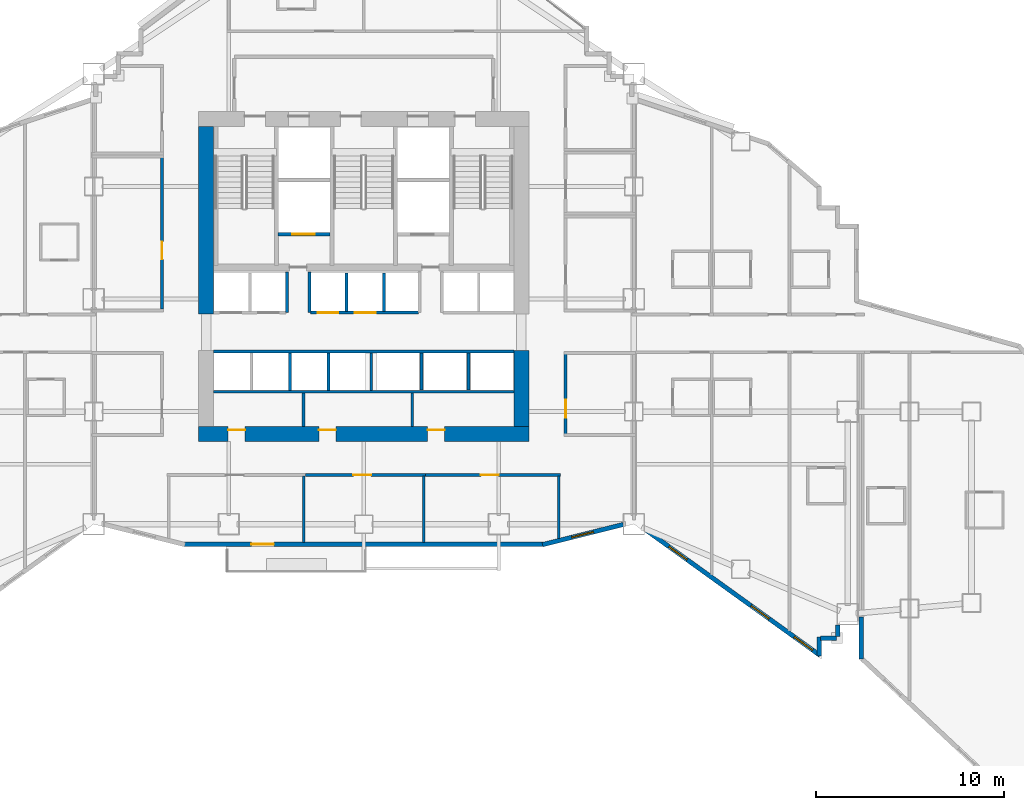
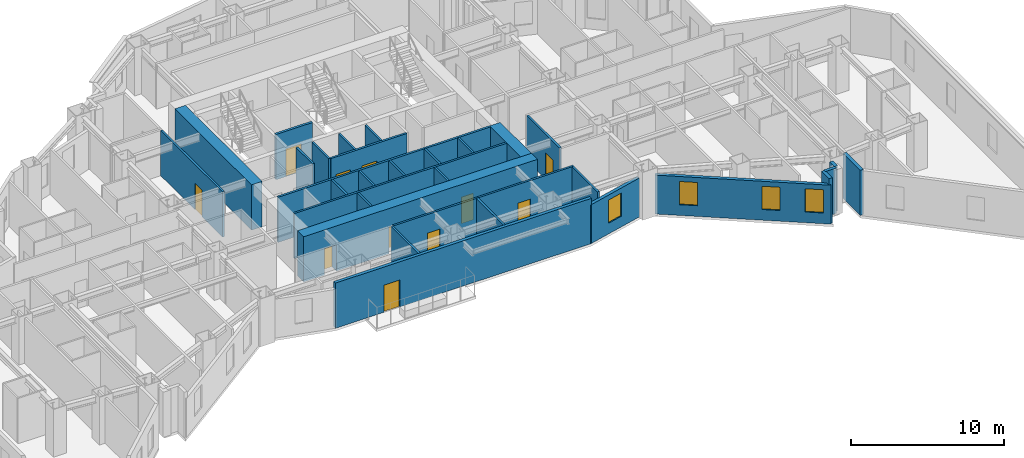
# One storey, part 9 of 16: 32 walls, 11 doors, 4 windows, 15 openings.
"""IFC4 building model written with IfcOpenShell, lengths in metres."""

from ifc_helpers import new_model, si_unit, direction, frame, frame_2d, origin, place, context, subcontext, project, spatial, rectangle, extrude, material, layer, layer_set, type_object, element, fill, save


model = new_model("IFC4")

# Units and contexts
model_context = context("Model", 3, precision=1e-05, world=origin(), true_north=direction((0.0, 1.0)))
body_context = subcontext(model_context, "Body", "Model", "MODEL_VIEW")
ifc_project = project(units=[si_unit("LENGTHUNIT", "METRE"), si_unit("AREAUNIT", "SQUARE_METRE"), si_unit("VOLUMEUNIT", "CUBIC_METRE"), si_unit("PLANEANGLEUNIT", "RADIAN"), si_unit("MASSUNIT", "GRAM", prefix="KILO")], contexts=[model_context])

# Site, building, storey
site_placement = place(None, origin())
site = spatial("IfcSite", under=ifc_project, at=site_placement, CompositionType="ELEMENT")
building_placement = place(site_placement, origin())
building = spatial("IfcBuilding", under=site, at=building_placement, Name="Haolan Belvedere Tower", CompositionType="ELEMENT")
storey_placement = place(building_placement, frame((0.0, 0.0, 78.0)))
storey = spatial("IfcBuildingStorey", under=building, at=storey_placement, Name="L19", CompositionType="ELEMENT", Elevation=78.0)

# Wall, openings, doors
ifc_material_1 = material(Name="Concrete C70/85", Category="concrete")
ifc_layer_1 = layer(ifc_material_1, 0.800048828125, Name="Concrete C70/85")
ifc_layer_set_1 = layer_set([ifc_layer_1], Name="Concrete C70/85")
wall_type_1 = type_object("IfcWallType", Name="WL-CORE-800", PredefinedType="SHEAR", material=ifc_layer_set_1)
wall_1_placement = place(storey_placement, frame((29.60009765625, 26.39990234375, 0.0), z_axis=(0.0, 0.0, 1.0), x_axis=(1.0, 0.0, 0.0)))
wall_1 = element("IfcWall", 1, at=wall_1_placement, inside=storey, type_object=wall_type_1, Name="L19 central core south shear wall", PredefinedType="SHEAR", context=body_context, shape_type="SweptSolid", body=[
    extrude(rectangle(XDim=17.599853515625, YDim=0.800048828125, at=frame_2d((8.7998046875, 0.0))), origin(), (0.0, 0.0, 1.0), 3.60009765625),
])
opening_1_placement = place(wall_1_placement, frame((2.469970703125, 0.0, 0.0), z_axis=(0.0, 0.0, 1.0), x_axis=(-1.0, 0.0, 0.0)))
opening_1 = element("IfcOpeningElement", 2, at=opening_1_placement, cuts=wall_1, Name="Opening FD-05", PredefinedType="OPENING", context=body_context, shape_type="SweptSolid", body=[
    extrude(rectangle(XDim=0.89990234375, YDim=2.10009765625, at=frame_2d((0.449951171875, 1.050048828125))), frame((0.0, 0.409912109375, 0.0), z_axis=(0.0, -1.0, 0.0), x_axis=(1.0, 0.0, 0.0)), (0.0, 0.0, 1.0), 0.820068359375),
])
opening_2_placement = place(wall_1_placement, frame((7.309814453125, 0.0, 0.0), z_axis=(0.0, 0.0, 1.0), x_axis=(-1.0, 0.0, 0.0)))
opening_2 = element("IfcOpeningElement", 3, at=opening_2_placement, cuts=wall_1, Name="Opening FD-05", PredefinedType="OPENING", context=body_context, shape_type="SweptSolid", body=[
    extrude(rectangle(XDim=0.89990234375, YDim=2.10009765625, at=frame_2d((0.449951171875, 1.050048828125))), frame((0.0, 0.409912109375, 0.0), z_axis=(0.0, -1.0, 0.0), x_axis=(1.0, 0.0, 0.0)), (0.0, 0.0, 1.0), 0.820068359375),
])
opening_3_placement = place(wall_1_placement, frame((13.10986328125, 0.0, 0.0), z_axis=(0.0, 0.0, 1.0), x_axis=(-1.0, 0.0, 0.0)))
opening_3 = element("IfcOpeningElement", 4, at=opening_3_placement, cuts=wall_1, Name="Opening FD-05", PredefinedType="OPENING", context=body_context, shape_type="SweptSolid", body=[
    extrude(rectangle(XDim=0.89990234375, YDim=2.10009765625, at=frame_2d((0.449951171875, 1.050048828125))), frame((0.0, 0.409912109375, 0.0), z_axis=(0.0, -1.0, 0.0), x_axis=(1.0, 0.0, 0.0)), (0.0, 0.0, 1.0), 0.820068359375),
])
ifc_material_2 = material(Name="Galvanised fire-rated steel", Category="steel")
door_type_1 = type_object("IfcDoorType", Name="DR-FD60-900", OperationType="NOTDEFINED", PredefinedType="DOOR", material=ifc_material_2)
door_1_placement = place(opening_1_placement, origin())
door_1 = element("IfcDoor", 5, at=door_1_placement, inside=storey, type_object=door_type_1, Name="L19 door CD-L19-SCV-1", OperationType="SINGLE_SWING_LEFT", OverallHeight=2.10009765625, OverallWidth=0.89990234375, PredefinedType="DOOR", context=body_context, shape_type="SweptSolid", body=[
    extrude(rectangle(XDim=0.89990234375, YDim=2.10009765625, at=frame_2d((0.449951171875, 1.050048828125))), frame((0.0, -0.19482421875, 0.0), z_axis=(0.0, -1.0, 0.0), x_axis=(1.0, 0.0, 0.0)), (0.0, 0.0, 1.0), 0.050048828125),
])
fill(opening_1, door_1)
door_2_placement = place(opening_2_placement, origin())
door_2 = element("IfcDoor", 6, at=door_2_placement, inside=storey, type_object=door_type_1, Name="L19 door CD-L19-SCV-2", OperationType="SINGLE_SWING_RIGHT", OverallHeight=2.10009765625, OverallWidth=0.89990234375, PredefinedType="DOOR", context=body_context, shape_type="SweptSolid", body=[
    extrude(rectangle(XDim=0.89990234375, YDim=2.10009765625, at=frame_2d((0.449951171875, 1.050048828125))), frame((0.0, -0.19482421875, 0.0), z_axis=(0.0, -1.0, 0.0), x_axis=(1.0, 0.0, 0.0)), (0.0, 0.0, 1.0), 0.050048828125),
])
fill(opening_2, door_2)
door_3_placement = place(opening_3_placement, origin())
door_3 = element("IfcDoor", 7, at=door_3_placement, inside=storey, type_object=door_type_1, Name="L19 door CD-L19-SCV-3", OperationType="SINGLE_SWING_LEFT", OverallHeight=2.10009765625, OverallWidth=0.89990234375, PredefinedType="DOOR", context=body_context, shape_type="SweptSolid", body=[
    extrude(rectangle(XDim=0.89990234375, YDim=2.10009765625, at=frame_2d((0.449951171875, 1.050048828125))), frame((0.0, -0.19482421875, 0.0), z_axis=(0.0, -1.0, 0.0), x_axis=(1.0, 0.0, 0.0)), (0.0, 0.0, 1.0), 0.050048828125),
])
fill(opening_3, door_3)

# Walls
wall_2_placement = place(storey_placement, frame((30.0, 32.800048828125, 0.0), z_axis=(0.0, 0.0, 1.0), x_axis=(0.0, 1.0, 0.0)))
element("IfcWall", 8, at=wall_2_placement, inside=storey, type_object=wall_type_1, Name="L19 central core shear wall WN", PredefinedType="SHEAR", context=body_context, shape_type="SweptSolid", body=[
    extrude(rectangle(XDim=10.0, YDim=0.800048828125, at=frame_2d((5.0, 0.0))), origin(), (0.0, 0.0, 1.0), 3.60009765625),
])
wall_3_placement = place(storey_placement, frame((46.800048828125, 26.800048828125, 0.0), z_axis=(0.0, 0.0, 1.0), x_axis=(0.0, 1.0, 0.0)))
element("IfcWall", 9, at=wall_3_placement, inside=storey, type_object=wall_type_1, Name="L19 central core shear wall ES", PredefinedType="SHEAR", context=body_context, shape_type="SweptSolid", body=[
    extrude(rectangle(XDim=4.050048828125, YDim=0.800048828125, at=frame_2d((2.02490234375, 0.0))), origin(), (0.0, 0.0, 1.0), 3.60009765625),
])

# Wall, opening, door
ifc_material_3 = material(Name="Precast concrete C40/50", Category="concrete")
ifc_layer_2 = layer(ifc_material_3, 0.239990234375, Name="Precast concrete C40/50")
ifc_layer_set_2 = layer_set([ifc_layer_2], Name="Precast concrete C40/50")
wall_type_2 = type_object("IfcWallType", Name="WL-EXT-240", PredefinedType="SOLIDWALL", material=ifc_layer_set_2)
wall_4_placement = place(storey_placement, frame((28.759765625, 20.52001953125, 0.0), z_axis=(0.0, 0.0, 1.0), x_axis=(1.0, 0.0, 0.0)))
wall_4 = element("IfcWall", 10, at=wall_4_placement, inside=storey, type_object=wall_type_2, Name="L19 pale-metal exterior spandrel wall 13.1", PredefinedType="SOLIDWALL", context=body_context, shape_type="SweptSolid", body=[
    extrude(rectangle(XDim=19.280517578125, YDim=0.239990234375, at=frame_2d((9.64013671875, 0.0))), origin(), (0.0, 0.0, 1.0), 3.60009765625),
])
opening_4_placement = place(wall_4_placement, frame((4.840087890625, 0.0, 0.0), z_axis=(0.0, 0.0, 1.0), x_axis=(-1.0, 0.0, 0.0)))
opening_4 = element("IfcOpeningElement", 11, at=opening_4_placement, cuts=wall_4, Name="Opening BD-01", PredefinedType="OPENING", context=body_context, shape_type="SweptSolid", body=[
    extrude(rectangle(XDim=1.199951171875, YDim=2.14990234375, at=frame_2d((0.60009765625, 1.074951171875))), frame((0.0, 0.1298828125, 0.0), z_axis=(0.0, -1.0, 0.0), x_axis=(1.0, 0.0, 0.0)), (0.0, 0.0, 1.0), 0.260009765625),
])
ifc_material_4 = material(Name="Thermally broken pale-metal aluminium and Low-E glass", Category="aluminium")
door_type_2 = type_object("IfcDoorType", Name="DR-BAL-1200", OperationType="NOTDEFINED", PredefinedType="DOOR", material=ifc_material_4)
door_4_placement = place(opening_4_placement, origin())
door_4 = element("IfcDoor", 12, at=door_4_placement, inside=storey, type_object=door_type_2, Name="L19 tree-balcony access door 1", OperationType="SINGLE_SWING_LEFT", OverallHeight=2.14990234375, OverallWidth=1.199951171875, PredefinedType="DOOR", context=body_context, shape_type="SweptSolid", body=[
    extrude(rectangle(XDim=1.199951171875, YDim=2.14990234375, at=frame_2d((0.60009765625, 1.074951171875))), frame((0.0, 0.02490234375, 0.0), z_axis=(0.0, -1.0, 0.0), x_axis=(1.0, 0.0, 0.0)), (0.0, 0.0, 1.0), 0.050048828125),
])
fill(opening_4, door_4)

# Wall, opening, window
wall_5_placement = place(storey_placement, frame((47.931884765625, 20.506591796875, 0.0), z_axis=(0.0, 0.0, 1.0), x_axis=(0.970145739396, 0.242522667667, 0.0)))
wall_5 = element("IfcWall", 13, at=wall_5_placement, inside=storey, type_object=wall_type_2, Name="L19 pale-metal exterior spandrel wall 14.1", PredefinedType="SOLIDWALL", context=body_context, shape_type="SweptSolid", body=[
    extrude(rectangle(XDim=4.433349609375, YDim=0.239990234375, at=frame_2d((2.216796875, 0.0))), origin(), (0.0, 0.0, 1.0), 3.096923828125),
])
opening_5_placement = place(wall_5_placement, frame((1.60009765625, 0.0, 0.85009765625)))
opening_5 = element("IfcOpeningElement", 14, at=opening_5_placement, cuts=wall_5, Name="Opening W-01", PredefinedType="OPENING", context=body_context, shape_type="SweptSolid", body=[
    extrude(rectangle(XDim=1.199951171875, YDim=1.85009765625, at=frame_2d((0.60009765625, 0.925048828125))), frame((0.0, 0.1298828125, 0.0), z_axis=(0.0, -1.0, 0.0), x_axis=(1.0, 0.0, 0.0)), (0.0, 0.0, 1.0), 0.260009765625),
])
ifc_material_5 = material(Name="Anodised aluminium 6063-T6 and Low-E glass", Category="aluminium")
window_type = type_object("IfcWindowType", Name="WN-DECO-Z1", PartitioningType="SINGLE_PANEL", PredefinedType="WINDOW", material=ifc_material_5)
window_1_placement = place(opening_5_placement, origin())
window_1 = element("IfcWindow", 15, at=window_1_placement, inside=storey, type_object=window_type, Name="L19 Art Deco chevron window 1", OverallHeight=1.85009765625, OverallWidth=1.199951171875, PartitioningType="SINGLE_PANEL", PredefinedType="WINDOW", context=body_context, shape_type="SweptSolid", body=[
    extrude(rectangle(XDim=1.199951171875, YDim=1.85009765625, at=frame_2d((0.60009765625, 0.925048828125))), frame((0.0, 0.030029296875, 0.0), z_axis=(0.0, -1.0, 0.0), x_axis=(1.0, 0.0, 0.0)), (0.0, 0.0, 1.0), 0.06005859375),
])
fill(opening_5, window_1)

# Wall, openings, windows
wall_6_placement = place(storey_placement, frame((53.366943359375, 21.339599609375, 0.0), z_axis=(0.0, 0.0, 1.0), x_axis=(0.811543176492, -0.58429245476, 0.0)))
wall_6 = element("IfcWall", 16, at=wall_6_placement, inside=storey, type_object=wall_type_2, Name="L19 pale-metal exterior spandrel wall 15.1", PredefinedType="SOLIDWALL", context=body_context, shape_type="SweptSolid", body=[
    extrude(rectangle(XDim=11.53076171875, YDim=0.239990234375, at=frame_2d((5.765380859375, 0.0))), origin(), (0.0, 0.0, 1.0), 3.096923828125),
])
opening_6_placement = place(wall_6_placement, frame((1.60009765625, 0.0, 0.85009765625)))
opening_6 = element("IfcOpeningElement", 17, at=opening_6_placement, cuts=wall_6, Name="Opening W-01", PredefinedType="OPENING", context=body_context, shape_type="SweptSolid", body=[
    extrude(rectangle(XDim=1.199951171875, YDim=1.85009765625, at=frame_2d((0.60009765625, 0.925048828125))), frame((0.0, 0.1298828125, 0.0), z_axis=(0.0, -1.0, 0.0), x_axis=(1.0, 0.0, 0.0)), (0.0, 0.0, 1.0), 0.260009765625),
])
opening_7_placement = place(wall_6_placement, frame((7.0, 0.0, 0.85009765625)))
opening_7 = element("IfcOpeningElement", 18, at=opening_7_placement, cuts=wall_6, Name="Opening W-01", PredefinedType="OPENING", context=body_context, shape_type="SweptSolid", body=[
    extrude(rectangle(XDim=1.199951171875, YDim=1.85009765625, at=frame_2d((0.60009765625, 0.925048828125))), frame((0.0, 0.1298828125, 0.0), z_axis=(0.0, -1.0, 0.0), x_axis=(1.0, 0.0, 0.0)), (0.0, 0.0, 1.0), 0.260009765625),
])
opening_8_placement = place(wall_6_placement, frame((9.842041015625, 0.0, 0.85009765625)))
opening_8 = element("IfcOpeningElement", 19, at=opening_8_placement, cuts=wall_6, Name="Opening W-01", PredefinedType="OPENING", context=body_context, shape_type="SweptSolid", body=[
    extrude(rectangle(XDim=1.199951171875, YDim=1.85009765625, at=frame_2d((0.60009765625, 0.925048828125))), frame((0.0, 0.1298828125, 0.0), z_axis=(0.0, -1.0, 0.0), x_axis=(1.0, 0.0, 0.0)), (0.0, 0.0, 1.0), 0.260009765625),
])
window_2_placement = place(opening_6_placement, origin())
window_2 = element("IfcWindow", 20, at=window_2_placement, inside=storey, type_object=window_type, Name="L19 Art Deco chevron window 1", OverallHeight=1.85009765625, OverallWidth=1.199951171875, PartitioningType="SINGLE_PANEL", PredefinedType="WINDOW", context=body_context, shape_type="SweptSolid", body=[
    extrude(rectangle(XDim=1.199951171875, YDim=1.85009765625, at=frame_2d((0.60009765625, 0.925048828125))), frame((0.0, 0.030029296875, 0.0), z_axis=(0.0, -1.0, 0.0), x_axis=(1.0, 0.0, 0.0)), (0.0, 0.0, 1.0), 0.06005859375),
])
fill(opening_6, window_2)
window_3_placement = place(opening_7_placement, origin())
window_3 = element("IfcWindow", 21, at=window_3_placement, inside=storey, type_object=window_type, Name="L19 Art Deco chevron window 2", OverallHeight=1.85009765625, OverallWidth=1.199951171875, PartitioningType="SINGLE_PANEL", PredefinedType="WINDOW", context=body_context, shape_type="SweptSolid", body=[
    extrude(rectangle(XDim=1.199951171875, YDim=1.85009765625, at=frame_2d((0.60009765625, 0.925048828125))), frame((0.0, 0.030029296875, 0.0), z_axis=(0.0, -1.0, 0.0), x_axis=(1.0, 0.0, 0.0)), (0.0, 0.0, 1.0), 0.06005859375),
])
fill(opening_7, window_3)
window_4_placement = place(opening_8_placement, origin())
window_4 = element("IfcWindow", 22, at=window_4_placement, inside=storey, type_object=window_type, Name="L19 Art Deco guestroom window 3", OverallHeight=1.85009765625, OverallWidth=1.199951171875, PartitioningType="SINGLE_PANEL", PredefinedType="WINDOW", context=body_context, shape_type="SweptSolid", body=[
    extrude(rectangle(XDim=1.199951171875, YDim=1.85009765625, at=frame_2d((0.60009765625, 0.925048828125))), frame((0.0, 0.030029296875, 0.0), z_axis=(0.0, -1.0, 0.0), x_axis=(1.0, 0.0, 0.0)), (0.0, 0.0, 1.0), 0.06005859375),
])
fill(opening_8, window_4)

# Walls
wall_7_placement = place(storey_placement, frame((62.679931640625, 14.579345703125, 0.0), z_axis=(0.0, 0.0, 1.0), x_axis=(0.0, 1.0, 0.0)))
element("IfcWall", 23, at=wall_7_placement, inside=storey, type_object=wall_type_2, Name="L19 pale-metal exterior spandrel wall 16.1", PredefinedType="SOLIDWALL", context=body_context, shape_type="SweptSolid", body=[
    extrude(rectangle(XDim=0.99560546875, YDim=0.239990234375, at=frame_2d((0.497802734375, 0.0))), origin(), (0.0, 0.0, 1.0), 3.60009765625),
])
wall_8_placement = place(storey_placement, frame((62.7451171875, 15.52001953125, 0.0), z_axis=(0.0, 0.0, 1.0), x_axis=(1.0, 0.0, 0.0)))
element("IfcWall", 24, at=wall_8_placement, inside=storey, type_object=wall_type_2, Name="L19 pale-metal exterior spandrel wall 17.1", PredefinedType="SOLIDWALL", context=body_context, shape_type="SweptSolid", body=[
    extrude(rectangle(XDim=0.849853515625, YDim=0.239990234375, at=frame_2d((0.4248046875, 0.0))), origin(), (0.0, 0.0, 1.0), 3.60009765625),
])
wall_9_placement = place(storey_placement, frame((63.679931640625, 15.60498046875, 0.0), z_axis=(0.0, 0.0, 1.0), x_axis=(0.0, 1.0, 0.0)))
element("IfcWall", 25, at=wall_9_placement, inside=storey, type_object=wall_type_2, Name="L19 pale-metal exterior spandrel wall 18.1", PredefinedType="SOLIDWALL", context=body_context, shape_type="SweptSolid", body=[
    extrude(rectangle(XDim=0.6279296875, YDim=0.239990234375, at=frame_2d((0.31396484375, 0.0))), origin(), (0.0, 0.0, 1.0), 3.60009765625),
])
wall_10_placement = place(storey_placement, frame((64.919921875, 16.639892578125, 0.0), z_axis=(0.0, 0.0, 1.0), x_axis=(0.0, -1.0, 0.0)))
element("IfcWall", 26, at=wall_10_placement, inside=storey, type_object=wall_type_2, Name="L19 pale-metal exterior spandrel wall 20.1", PredefinedType="SOLIDWALL", context=body_context, shape_type="SweptSolid", body=[
    extrude(rectangle(XDim=2.24267578125, YDim=0.239990234375, at=frame_2d((1.121337890625, 0.0))), origin(), (0.0, 0.0, 1.0), 3.60009765625),
])
ifc_material_6 = material(Name="Double gypsum acoustic stud partition", Category="masonry")
ifc_layer_3 = layer(ifc_material_6, 0.14990234375, Name="Double gypsum acoustic stud partition")
ifc_layer_set_3 = layer_set([ifc_layer_3], Name="Double gypsum acoustic stud partition")
wall_type_3 = type_object("IfcWallType", Name="WL-PART-150", PredefinedType="PARTITIONING", material=ifc_layer_set_3)
wall_11_placement = place(storey_placement, frame((30.39990234375, 28.659912109375, 0.0), z_axis=(0.0, 0.0, 1.0), x_axis=(1.0, 0.0, 0.0)))
element("IfcWall", 27, at=wall_11_placement, inside=storey, type_object=wall_type_3, Name="L19 interior partition IW-L19-SSTRIP-N", PredefinedType="PARTITIONING", context=body_context, shape_type="SweptSolid", body=[
    extrude(rectangle(XDim=16.0, YDim=0.14990234375, at=frame_2d((8.0, 0.0))), origin(), (0.0, 0.0, 1.0), 3.60009765625),
])
for number, where, z_axis, x_axis, name in (
    (28, (35.179931640625, 26.81005859375, 0.0), (0.0, 0.0, 1.0), (0.0, 1.0, 0.0), "L19 interior partition IW-L19-SCV-DIV-1"),
    (29, (40.97998046875, 26.81005859375, 0.0), (0.0, 0.0, 1.0), (0.0, 1.0, 0.0), "L19 interior partition IW-L19-SCV-DIV-2"),
):
    element("IfcWall", number, at=place(storey_placement, frame(where, z_axis=z_axis, x_axis=x_axis)), inside=storey, type_object=wall_type_3, Name=name, PredefinedType="PARTITIONING", context=body_context, shape_type="SweptSolid", body=[
        extrude(rectangle(XDim=1.77001953125, YDim=0.14990234375, at=frame_2d((0.885009765625, 0.0))), origin(), (0.0, 0.0, 1.0), 3.60009765625),
    ])

# Wall, opening, door
wall_12_placement = place(storey_placement, frame((27.639892578125, 33.06005859375, 0.0), z_axis=(0.0, 0.0, 1.0), x_axis=(0.0, 1.0, 0.0)))
wall_12 = element("IfcWall", 30, at=wall_12_placement, inside=storey, type_object=wall_type_3, Name="L19 interior partition IW-L19-SAL-E", PredefinedType="PARTITIONING", context=body_context, shape_type="SweptSolid", body=[
    extrude(rectangle(XDim=8.079833984375, YDim=0.14990234375, at=frame_2d((4.0400390625, 0.0))), origin(), (0.0, 0.0, 1.0), 3.60009765625),
])
opening_9_placement = place(wall_12_placement, frame((3.60986328125, 0.0, 0.0), z_axis=(0.0, 0.0, 1.0), x_axis=(-1.0, 0.0, 0.0)))
opening_9 = element("IfcOpeningElement", 31, at=opening_9_placement, cuts=wall_12, Name="Opening ID-03", PredefinedType="OPENING", context=body_context, shape_type="SweptSolid", body=[
    extrude(rectangle(XDim=0.949951171875, YDim=2.1201171875, at=frame_2d((0.47509765625, 1.06005859375))), frame((0.0, 0.0849609375, 0.0), z_axis=(0.0, -1.0, 0.0), x_axis=(1.0, 0.0, 0.0)), (0.0, 0.0, 1.0), 0.169921875),
])
ifc_material_7 = material(Name="Painted solid-core timber", Category="wood")
door_type_3 = type_object("IfcDoorType", Name="DR-INT-950", OperationType="NOTDEFINED", PredefinedType="DOOR", material=ifc_material_7)
door_5_placement = place(opening_9_placement, origin())
door_5 = element("IfcDoor", 32, at=door_5_placement, inside=storey, type_object=door_type_3, Name="L19 door ID-L19-SAL", OperationType="SINGLE_SWING_LEFT", OverallHeight=2.1201171875, OverallWidth=0.949951171875, PredefinedType="DOOR", context=body_context, shape_type="SweptSolid", body=[
    extrude(rectangle(XDim=0.949951171875, YDim=2.1201171875, at=frame_2d((0.47509765625, 1.06005859375))), frame((0.0, 0.02490234375, 0.0), z_axis=(0.0, -1.0, 0.0), x_axis=(1.0, 0.0, 0.0)), (0.0, 0.0, 1.0), 0.050048828125),
])
fill(opening_9, door_5)

wall_13_placement = place(storey_placement, frame((49.159912109375, 26.409912109375, 0.0), z_axis=(0.0, 0.0, 1.0), x_axis=(0.0, 1.0, 0.0)))
wall_13 = element("IfcWall", 33, at=wall_13_placement, inside=storey, type_object=wall_type_3, Name="L19 interior partition IW-L19-PKTE-W", PredefinedType="PARTITIONING", context=body_context, shape_type="SweptSolid", body=[
    extrude(rectangle(XDim=4.260009765625, YDim=0.14990234375, at=frame_2d((2.1298828125, 0.0))), origin(), (0.0, 0.0, 1.0), 3.60009765625),
])
opening_10_placement = place(wall_13_placement, frame((0.860107421875, 0.0, 0.0)))
opening_10 = element("IfcOpeningElement", 34, at=opening_10_placement, cuts=wall_13, Name="Opening ID-03", PredefinedType="OPENING", context=body_context, shape_type="SweptSolid", body=[
    extrude(rectangle(XDim=0.949951171875, YDim=2.1201171875, at=frame_2d((0.47509765625, 1.06005859375))), frame((0.0, 0.0849609375, 0.0), z_axis=(0.0, -1.0, 0.0), x_axis=(1.0, 0.0, 0.0)), (0.0, 0.0, 1.0), 0.169921875),
])
door_6_placement = place(opening_10_placement, origin())
door_6 = element("IfcDoor", 35, at=door_6_placement, inside=storey, type_object=door_type_3, Name="L19 door ID-L19-PKTE", OperationType="SINGLE_SWING_RIGHT", OverallHeight=2.1201171875, OverallWidth=0.949951171875, PredefinedType="DOOR", context=body_context, shape_type="SweptSolid", body=[
    extrude(rectangle(XDim=0.949951171875, YDim=2.1201171875, at=frame_2d((0.47509765625, 1.06005859375))), frame((0.0, 0.02490234375, 0.0), z_axis=(0.0, -1.0, 0.0), x_axis=(1.0, 0.0, 0.0)), (0.0, 0.0, 1.0), 0.050048828125),
])
fill(opening_10, door_6)

# Wall
wall_14_placement = place(storey_placement, frame((35.199951171875, 20.625, 0.0), z_axis=(0.0, 0.0, 1.0), x_axis=(0.0, 1.0, 0.0)))
element("IfcWall", 36, at=wall_14_placement, inside=storey, type_object=wall_type_3, Name="L19 interior partition IW-L19-KS2-E", PredefinedType="PARTITIONING", context=body_context, shape_type="SweptSolid", body=[
    extrude(rectangle(XDim=3.534912109375, YDim=0.14990234375, at=frame_2d((1.767578125, 0.0))), origin(), (0.0, 0.0, 1.0), 3.60009765625),
])

# Wall, opening, door
wall_15_placement = place(storey_placement, frame((35.281982421875, 24.219970703125, 0.0), z_axis=(0.0, 0.0, 1.0), x_axis=(1.0, 0.0, 0.0)))
wall_15 = element("IfcWall", 37, at=wall_15_placement, inside=storey, type_object=wall_type_3, Name="L19 interior partition IW-L19-KS3-N", PredefinedType="PARTITIONING", context=body_context, shape_type="SweptSolid", body=[
    extrude(rectangle(XDim=6.39794921875, YDim=0.14990234375, at=frame_2d((3.198974609375, 0.0))), origin(), (0.0, 0.0, 1.0), 3.60009765625),
])
opening_11_placement = place(wall_15_placement, frame((3.512939453125, 0.0, 0.0), z_axis=(0.0, 0.0, 1.0), x_axis=(-1.0, 0.0, 0.0)))
opening_11 = element("IfcOpeningElement", 38, at=opening_11_placement, cuts=wall_15, Name="Opening ID-03", PredefinedType="OPENING", context=body_context, shape_type="SweptSolid", body=[
    extrude(rectangle(XDim=0.949951171875, YDim=2.1201171875, at=frame_2d((0.47509765625, 1.06005859375))), frame((0.0, 0.0849609375, 0.0), z_axis=(0.0, -1.0, 0.0), x_axis=(1.0, 0.0, 0.0)), (0.0, 0.0, 1.0), 0.169921875),
])
door_7_placement = place(opening_11_placement, origin())
door_7 = element("IfcDoor", 39, at=door_7_placement, inside=storey, type_object=door_type_3, Name="L19 door ID-L19-KS3", OperationType="SINGLE_SWING_LEFT", OverallHeight=2.1201171875, OverallWidth=0.949951171875, PredefinedType="DOOR", context=body_context, shape_type="SweptSolid", body=[
    extrude(rectangle(XDim=0.949951171875, YDim=2.1201171875, at=frame_2d((0.47509765625, 1.06005859375))), frame((0.0, 0.02490234375, 0.0), z_axis=(0.0, -1.0, 0.0), x_axis=(1.0, 0.0, 0.0)), (0.0, 0.0, 1.0), 0.050048828125),
])
fill(opening_11, door_7)

# Wall
wall_16_placement = place(storey_placement, frame((41.60009765625, 20.625, 0.0), z_axis=(0.0, 0.0, 1.0), x_axis=(0.0, 1.0, 0.0)))
element("IfcWall", 40, at=wall_16_placement, inside=storey, type_object=wall_type_3, Name="L19 interior partition IW-L19-KS3-E", PredefinedType="PARTITIONING", context=body_context, shape_type="SweptSolid", body=[
    extrude(rectangle(XDim=3.534912109375, YDim=0.14990234375, at=frame_2d((1.767578125, 0.0))), origin(), (0.0, 0.0, 1.0), 3.60009765625),
])

# Wall, opening, door
wall_17_placement = place(storey_placement, frame((41.681884765625, 24.219970703125, 0.0), z_axis=(0.0, 0.0, 1.0), x_axis=(1.0, 0.0, 0.0)))
wall_17 = element("IfcWall", 41, at=wall_17_placement, inside=storey, type_object=wall_type_3, Name="L19 interior partition IW-L19-KS4-N", PredefinedType="PARTITIONING", context=body_context, shape_type="SweptSolid", body=[
    extrude(rectangle(XDim=7.197998046875, YDim=0.14990234375, at=frame_2d((3.59912109375, 0.0))), origin(), (0.0, 0.0, 1.0), 3.60009765625),
])
opening_12_placement = place(wall_17_placement, frame((3.912841796875, 0.0, 0.0), z_axis=(0.0, 0.0, 1.0), x_axis=(-1.0, 0.0, 0.0)))
opening_12 = element("IfcOpeningElement", 42, at=opening_12_placement, cuts=wall_17, Name="Opening ID-03", PredefinedType="OPENING", context=body_context, shape_type="SweptSolid", body=[
    extrude(rectangle(XDim=0.949951171875, YDim=2.1201171875, at=frame_2d((0.47509765625, 1.06005859375))), frame((0.0, 0.0849609375, 0.0), z_axis=(0.0, -1.0, 0.0), x_axis=(1.0, 0.0, 0.0)), (0.0, 0.0, 1.0), 0.169921875),
])
door_8_placement = place(opening_12_placement, origin())
door_8 = element("IfcDoor", 43, at=door_8_placement, inside=storey, type_object=door_type_3, Name="L19 door ID-L19-KS4", OperationType="SINGLE_SWING_RIGHT", OverallHeight=2.1201171875, OverallWidth=0.949951171875, PredefinedType="DOOR", context=body_context, shape_type="SweptSolid", body=[
    extrude(rectangle(XDim=0.949951171875, YDim=2.1201171875, at=frame_2d((0.47509765625, 1.06005859375))), frame((0.0, 0.02490234375, 0.0), z_axis=(0.0, -1.0, 0.0), x_axis=(1.0, 0.0, 0.0)), (0.0, 0.0, 1.0), 0.050048828125),
])
fill(opening_12, door_8)

# Walls
wall_18_placement = place(storey_placement, frame((48.800048828125, 20.83203125, 0.0), z_axis=(0.0, 0.0, 1.0), x_axis=(0.0, 1.0, 0.0)))
element("IfcWall", 44, at=wall_18_placement, inside=storey, type_object=wall_type_3, Name="L19 interior partition IW-L19-KS4-E", PredefinedType="PARTITIONING", context=body_context, shape_type="SweptSolid", body=[
    extrude(rectangle(XDim=3.327880859375, YDim=0.14990234375, at=frame_2d((1.6640625, 0.0))), origin(), (0.0, 0.0, 1.0), 3.60009765625),
])
ifc_material_8 = material(Name="Gypsum fire shaftwall assembly", Category="masonry")
ifc_layer_4 = layer(ifc_material_8, 0.1650390625, Name="Gypsum fire shaftwall assembly")
ifc_layer_set_4 = layer_set([ifc_layer_4], Name="Gypsum fire shaftwall assembly")
wall_type_4 = type_object("IfcWallType", Name="WL-SHAFT-160", PredefinedType="SOLIDWALL", material=ifc_layer_set_4)
for number, where, z_axis, x_axis, name in (
    (45, (34.31005859375, 32.8798828125, 0.0), (0.0, 0.0, 1.0), (0.0, 1.0, 0.0), "L19 interior partition IW-L19-SVP-W-SV1"),
    (46, (35.510009765625, 32.8798828125, 0.0), (0.0, 0.0, 1.0), (0.0, 1.0, 0.0), "L19 interior partition IW-L19-SVP-E-SV1"),
):
    element("IfcWall", number, at=place(storey_placement, frame(where, z_axis=z_axis, x_axis=x_axis)), inside=storey, type_object=wall_type_4, Name=name, PredefinedType="SOLIDWALL", context=body_context, shape_type="SweptSolid", body=[
        extrude(rectangle(XDim=2.170166015625, YDim=0.14990234375, at=frame_2d((1.0849609375, 0.0))), origin(), (0.0, 0.0, 1.0), 3.60009765625),
    ])

# Wall, openings, doors
wall_19_placement = place(storey_placement, frame((35.570068359375, 32.8798828125, 0.0), z_axis=(0.0, 0.0, 1.0), x_axis=(1.0, 0.0, 0.0)))
wall_19 = element("IfcWall", 47, at=wall_19_placement, inside=storey, type_object=wall_type_4, Name="L19 interior partition IW-L19-ROW-PN2", PredefinedType="SOLIDWALL", context=body_context, shape_type="SweptSolid", body=[
    extrude(rectangle(XDim=5.739990234375, YDim=0.159912109375, at=frame_2d((2.8701171875, 0.0))), origin(), (0.0, 0.0, 1.0), 3.60009765625),
])
opening_13_placement = place(wall_19_placement, frame((1.47021484375, 0.0, 0.0), z_axis=(0.0, 0.0, 1.0), x_axis=(-1.0, 0.0, 0.0)))
opening_13 = element("IfcOpeningElement", 48, at=opening_13_placement, cuts=wall_19, Name="Opening LD-01", PredefinedType="OPENING", context=body_context, shape_type="SweptSolid", body=[
    extrude(rectangle(XDim=1.10009765625, YDim=2.199951171875, at=frame_2d((0.550048828125, 1.10009765625))), frame((0.0, 0.08984375, 0.0), z_axis=(0.0, -1.0, 0.0), x_axis=(1.0, 0.0, 0.0)), (0.0, 0.0, 1.0), 0.179931640625),
])
opening_14_placement = place(wall_19_placement, frame((3.460205078125, 0.0, 0.0), z_axis=(0.0, 0.0, 1.0), x_axis=(-1.0, 0.0, 0.0)))
opening_14 = element("IfcOpeningElement", 49, at=opening_14_placement, cuts=wall_19, Name="Opening LD-01", PredefinedType="OPENING", context=body_context, shape_type="SweptSolid", body=[
    extrude(rectangle(XDim=1.10009765625, YDim=2.199951171875, at=frame_2d((0.550048828125, 1.10009765625))), frame((0.0, 0.08984375, 0.0), z_axis=(0.0, -1.0, 0.0), x_axis=(1.0, 0.0, 0.0)), (0.0, 0.0, 1.0), 0.179931640625),
])
ifc_material_9 = material(Name="Brushed champagne stainless steel 316L", Category="steel")
door_type_4 = type_object("IfcDoorType", Name="DR-LIFT-1100", OperationType="SLIDING_TO_LEFT", PredefinedType="DOOR", material=ifc_material_9)
door_9_placement = place(opening_13_placement, origin())
door_9 = element("IfcDoor", 50, at=door_9_placement, inside=storey, type_object=door_type_4, Name="L19 door ID-L19-LD-PL3", OperationType="SLIDING_TO_LEFT", OverallHeight=2.199951171875, OverallWidth=1.10009765625, PredefinedType="DOOR", context=body_context, shape_type="SweptSolid", body=[
    extrude(rectangle(XDim=1.10009765625, YDim=2.199951171875, at=frame_2d((0.550048828125, 1.10009765625))), frame((0.0, 0.02490234375, 0.0), z_axis=(0.0, -1.0, 0.0), x_axis=(1.0, 0.0, 0.0)), (0.0, 0.0, 1.0), 0.050048828125),
])
fill(opening_13, door_9)
door_10_placement = place(opening_14_placement, origin())
door_10 = element("IfcDoor", 51, at=door_10_placement, inside=storey, type_object=door_type_4, Name="L19 door ID-L19-LD-PL4", OperationType="SLIDING_TO_LEFT", OverallHeight=2.199951171875, OverallWidth=1.10009765625, PredefinedType="DOOR", context=body_context, shape_type="SweptSolid", body=[
    extrude(rectangle(XDim=1.10009765625, YDim=2.199951171875, at=frame_2d((0.550048828125, 1.10009765625))), frame((0.0, 0.02490234375, 0.0), z_axis=(0.0, -1.0, 0.0), x_axis=(1.0, 0.0, 0.0)), (0.0, 0.0, 1.0), 0.050048828125),
])
fill(opening_14, door_10)

# Walls
for number, where, z_axis, x_axis, name in (
    (52, (37.47998046875, 32.949951171875, 0.0), (0.0, 0.0, 1.0), (0.0, 1.0, 0.0), "L19 interior partition IW-L19-DIV-PL3"),
    (53, (39.469970703125, 32.949951171875, 0.0), (0.0, 0.0, 1.0), (0.0, 1.0, 0.0), "L19 interior partition IW-L19-DIV-PL4"),
):
    element("IfcWall", number, at=place(storey_placement, frame(where, z_axis=z_axis, x_axis=x_axis)), inside=storey, type_object=wall_type_4, Name=name, PredefinedType="SOLIDWALL", context=body_context, shape_type="SweptSolid", body=[
        extrude(rectangle(XDim=2.050048828125, YDim=0.14990234375, at=frame_2d((1.02490234375, 0.0))), origin(), (0.0, 0.0, 1.0), 3.60009765625),
    ])
wall_20_placement = place(storey_placement, frame((30.39990234375, 30.800048828125, 0.0), z_axis=(0.0, 0.0, 1.0), x_axis=(1.0, 0.0, 0.0)))
element("IfcWall", 54, at=wall_20_placement, inside=storey, type_object=wall_type_4, Name="L19 interior partition IW-L19-ROW-PS", PredefinedType="SOLIDWALL", context=body_context, shape_type="SweptSolid", body=[
    extrude(rectangle(XDim=16.0, YDim=0.159912109375, at=frame_2d((8.0, 0.0))), origin(), (0.0, 0.0, 1.0), 3.60009765625),
])
for number, where, z_axis, x_axis, name in (
    (55, (34.4599609375, 28.735107421875, 0.0), (0.0, 0.0, 1.0), (0.0, 1.0, 0.0), "L19 interior partition IW-L19-DIV-PM2"),
    (56, (36.52001953125, 28.735107421875, 0.0), (0.0, 0.0, 1.0), (0.0, 1.0, 0.0), "L19 interior partition IW-L19-DIV-PM3"),
    (57, (38.800048828125, 28.735107421875, 0.0), (0.0, 0.0, 1.0), (0.0, 1.0, 0.0), "L19 interior partition IW-L19-DIV-PM4"),
):
    element("IfcWall", number, at=place(storey_placement, frame(where, z_axis=z_axis, x_axis=x_axis)), inside=storey, type_object=wall_type_4, Name=name, PredefinedType="SOLIDWALL", context=body_context, shape_type="SweptSolid", body=[
        extrude(rectangle(XDim=1.98486328125, YDim=0.14990234375, at=frame_2d((0.992431640625, 0.0))), origin(), (0.0, 0.0, 1.0), 3.60009765625),
    ])
for number, where, z_axis, x_axis, name in (
    (58, (41.469970703125, 28.75, 0.0), (0.0, 0.0, 1.0), (0.0, 1.0, 0.0), "L19 interior partition IW-L19-DIV-OB1"),
    (59, (43.97998046875, 28.75, 0.0), (0.0, 0.0, 1.0), (0.0, 1.0, 0.0), "L19 interior partition IW-L19-DIV-OB2"),
):
    element("IfcWall", number, at=place(storey_placement, frame(where, z_axis=z_axis, x_axis=x_axis)), inside=storey, type_object=wall_type_4, Name=name, PredefinedType="SOLIDWALL", context=body_context, shape_type="SweptSolid", body=[
        extrude(rectangle(XDim=1.985107421875, YDim=0.14990234375, at=frame_2d((0.99267578125, 0.0))), origin(), (0.0, 0.0, 1.0), 3.60009765625),
    ])

# Wall, opening, door
ifc_layer_5 = layer(ifc_material_3, 0.179931640625, Name="Precast concrete C40/50")
ifc_layer_set_5 = layer_set([ifc_layer_5], Name="Precast concrete C40/50")
wall_type_5 = type_object("IfcWallType", Name="WL-SHAFT-180", PredefinedType="SOLIDWALL", material=ifc_layer_set_5)
wall_21_placement = place(storey_placement, frame((33.8349609375, 37.050048828125, 0.0), z_axis=(0.0, 0.0, 1.0), x_axis=(1.0, 0.0, 0.0)))
wall_21 = element("IfcWall", 60, at=wall_21_placement, inside=storey, type_object=wall_type_5, Name="L19 interior partition IW-L19-SV1-S", PredefinedType="SOLIDWALL", context=body_context, shape_type="SweptSolid", body=[
    extrude(rectangle(XDim=2.77001953125, YDim=0.179931640625, at=frame_2d((1.385009765625, 0.0))), origin(), (0.0, 0.0, 1.0), 3.60009765625),
])
opening_15_placement = place(wall_21_placement, frame((1.945068359375, 0.0, 0.0), z_axis=(0.0, 0.0, 1.0), x_axis=(-1.0, 0.0, 0.0)))
opening_15 = element("IfcOpeningElement", 61, at=opening_15_placement, cuts=wall_21, Name="Opening LD-02", PredefinedType="OPENING", context=body_context, shape_type="SweptSolid", body=[
    extrude(rectangle(XDim=1.199951171875, YDim=2.199951171875, at=frame_2d((0.60009765625, 1.10009765625))), frame((0.0, 0.099853515625, 0.0), z_axis=(0.0, -1.0, 0.0), x_axis=(1.0, 0.0, 0.0)), (0.0, 0.0, 1.0), 0.199951171875),
])
door_type_5 = type_object("IfcDoorType", Name="DR-LIFT-1200", OperationType="SLIDING_TO_RIGHT", PredefinedType="DOOR", material=ifc_material_9)
door_11_placement = place(opening_15_placement, origin())
door_11 = element("IfcDoor", 62, at=door_11_placement, inside=storey, type_object=door_type_5, Name="L19 door ID-L19-LD-SV1", OperationType="SLIDING_TO_RIGHT", OverallHeight=2.199951171875, OverallWidth=1.199951171875, PredefinedType="DOOR", context=body_context, shape_type="SweptSolid", body=[
    extrude(rectangle(XDim=1.199951171875, YDim=2.199951171875, at=frame_2d((0.60009765625, 1.10009765625))), frame((0.0, 0.02490234375, 0.0), z_axis=(0.0, -1.0, 0.0), x_axis=(1.0, 0.0, 0.0)), (0.0, 0.0, 1.0), 0.050048828125),
])
fill(opening_15, door_11)

save(model, "model.ifc")
